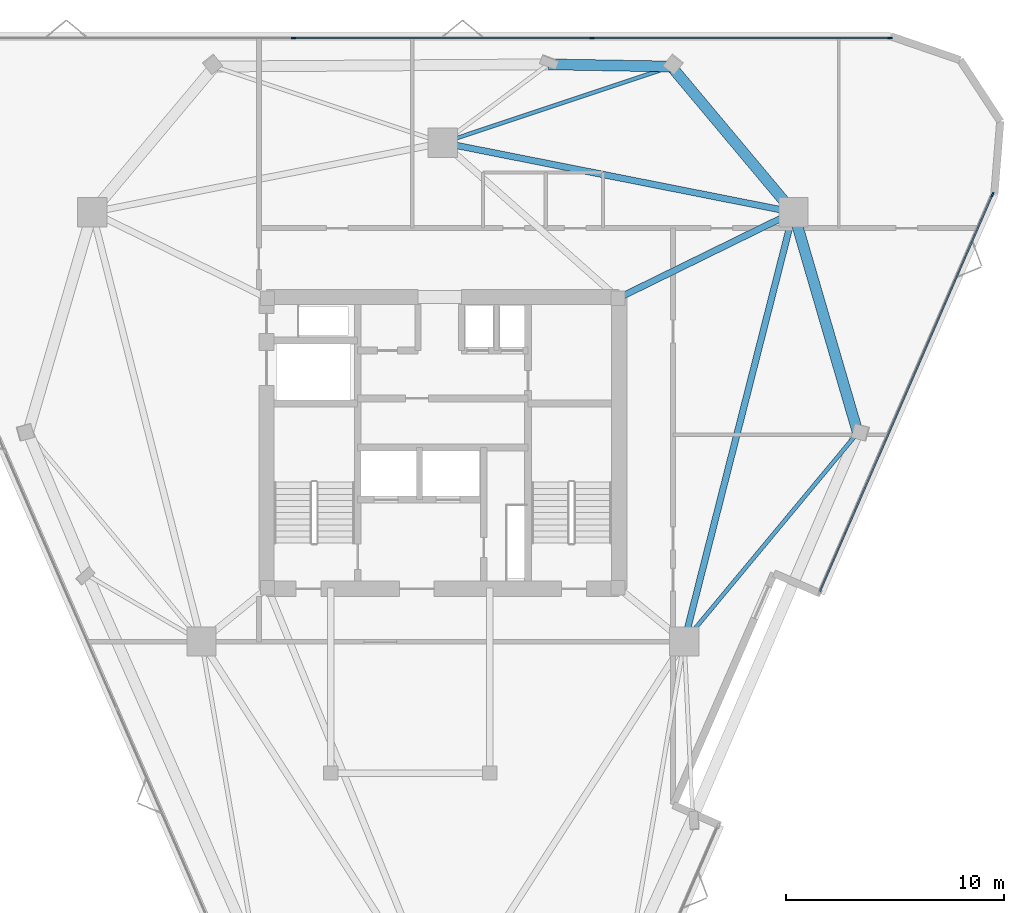
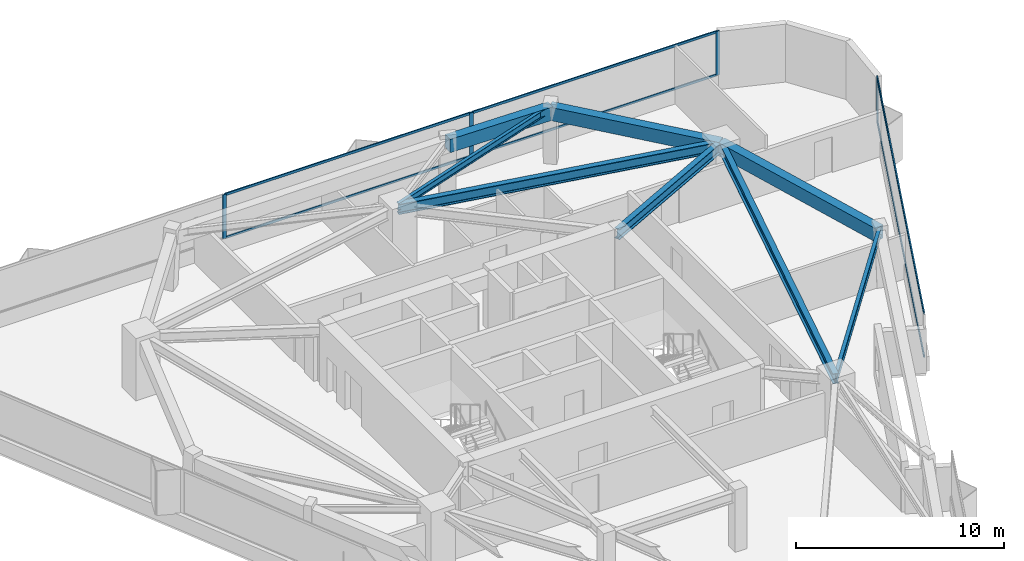
# One storey, part 5 of 9: 10 members, 8 beams, 2 elements without a shape of their own.
"""IFC4 building model written with IfcOpenShell, lengths in metres."""

from ifc_helpers import new_model, si_unit, direction, frame, origin, origin_2d, place, context, subcontext, project, spatial, rectangle, i_section, extrude, material, layer, layer_set, material_profile, profile_set, type_object, element, aggregate, save


model = new_model("IFC4")

# Units and contexts
model_context = context("Model", 3, precision=1e-05, world=origin(), true_north=direction((0.0, 1.0)))
body_context = subcontext(model_context, "Body", "Model", "MODEL_VIEW")
ifc_project = project(units=[si_unit("LENGTHUNIT", "METRE"), si_unit("AREAUNIT", "SQUARE_METRE"), si_unit("VOLUMEUNIT", "CUBIC_METRE"), si_unit("PLANEANGLEUNIT", "RADIAN"), si_unit("MASSUNIT", "GRAM", prefix="KILO")], contexts=[model_context])

# Site, building, storey
site_placement = place(None, origin())
site = spatial("IfcSite", under=ifc_project, at=site_placement, CompositionType="ELEMENT")
building_placement = place(site_placement, origin())
building = spatial("IfcBuilding", under=site, at=building_placement, Name="Talyreon Biosciences Tower", CompositionType="ELEMENT")
storey_placement = place(building_placement, frame((0.0, 0.0, 208.60009765625)))
storey = spatial("IfcBuildingStorey", under=building, at=storey_placement, Name="L55", CompositionType="ELEMENT", Elevation=208.60009765625)

# Curtain wall, members
ifc_material_1 = material(Name="Thermally broken aluminium and low-E glazing", Category="aluminium")
ifc_layer = layer(ifc_material_1, 0.205078125)
ifc_layer_set = layer_set([ifc_layer], Name="Thermally broken aluminium and low-E glazing")
curtain_wall_type = type_object("IfcCurtainWallType", Name="CurtainWall_SkyGardenLoggia", PredefinedType="NOTDEFINED", material=ifc_layer_set)
curtain_wall_1_placement = place(storey_placement, origin())
curtain_wall_1 = element("IfcCurtainWall", 1, at=curtain_wall_1_placement, inside=storey, type_object=curtain_wall_type, Name="L55 Unitised Curtain Wall FCW-L55-03", PredefinedType="NOTDEFINED")
ifc_material_2 = material(Name="Anodised thermally broken aluminium", Category="aluminium")
ifc_material_profile_1 = material_profile(ifc_material_2, rectangle(XDim=0.074951171875, YDim=0.2099609375, at=origin_2d()), Name="ALUM MULLION 75x210")
ifc_profile_set_1 = profile_set([ifc_material_profile_1], Name="Anodised thermally broken aluminium")
member_type_1 = type_object("IfcMemberType", Name="CWMullion_75x210", PredefinedType="MULLION", material=ifc_profile_set_1)
member_1_placement = place(storey_placement, frame((59.144775390625, 86.605224609375, 0.809814453125), z_axis=(0.0, 0.0, 1.0), x_axis=(0.0, 1.0, 0.0)))
member_1 = element("IfcMember", 2, at=member_1_placement, type_object=member_type_1, Name="CW7 mullion 2", PredefinedType="MULLION", context=body_context, shape_type="SweptSolid", body=[
    extrude(rectangle(XDim=0.074951171875, YDim=0.2099609375, at=origin_2d()), origin(), (0.0, 0.0, 1.0), 2.590087890625),
])
member_2_placement = place(storey_placement, frame((72.855224609375, 86.605224609375, 0.809814453125), z_axis=(0.0, 0.0, 1.0), x_axis=(0.0, 1.0, 0.0)))
member_2 = element("IfcMember", 3, at=member_2_placement, type_object=member_type_1, Name="CW7 mullion 3", PredefinedType="MULLION", context=body_context, shape_type="SweptSolid", body=[
    extrude(rectangle(XDim=0.074951171875, YDim=0.2099609375, at=origin_2d()), origin(), (0.0, 0.0, 1.0), 2.590087890625),
])
member_3_placement = place(storey_placement, frame((86.52783203125, 86.605224609375, 0.809814453125), z_axis=(0.0, 0.0, 1.0), x_axis=(0.0, 1.0, 0.0)))
member_3 = element("IfcMember", 4, at=member_3_placement, type_object=member_type_1, Name="CW7 mullion 4", PredefinedType="MULLION", context=body_context, shape_type="SweptSolid", body=[
    extrude(rectangle(XDim=0.074951171875, YDim=0.2099609375, at=origin_2d()), origin(), (0.0, 0.0, 1.0), 2.590087890625),
])

# Curtain wall, member
curtain_wall_2_placement = place(storey_placement, origin())
curtain_wall_2 = element("IfcCurtainWall", 5, at=curtain_wall_2_placement, inside=storey, type_object=curtain_wall_type, Name="L55 Unitised Curtain Wall FCW-L55-07", PredefinedType="NOTDEFINED")
member_4_placement = place(storey_placement, frame((91.24609375, 79.409912109375, 0.809814453125), z_axis=(0.0, 0.0, 1.0), x_axis=(0.91711290669, -0.398627540924, 0.0)))
member_4 = element("IfcMember", 6, at=member_4_placement, type_object=member_type_1, Name="CW7 mullion 1", PredefinedType="MULLION", context=body_context, shape_type="SweptSolid", body=[
    extrude(rectangle(XDim=0.074951171875, YDim=0.2099609375, at=origin_2d()), origin(), (0.0, 0.0, 1.0), 2.590087890625),
])

# Member
ifc_material_profile_2 = material_profile(ifc_material_2, rectangle(XDim=0.06494140625, YDim=0.139892578125, at=origin_2d()), Name="ALUM TRANSOM 65x140")
ifc_profile_set_2 = profile_set([ifc_material_profile_2], Name="Anodised thermally broken aluminium")
member_type_2 = type_object("IfcMemberType", Name="CWTransom_65x140", PredefinedType="USERDEFINED", material=ifc_profile_set_2)
member_5_placement = place(storey_placement, frame((59.182373046875, 86.605224609375, 0.84228515625), z_axis=(1.0, 0.0, 0.0), x_axis=(0.0, 1.0, 0.0)))
member_5 = element("IfcMember", 7, at=member_5_placement, type_object=member_type_2, Name="CW7 transom 2.1", ObjectType="TRANSOM", PredefinedType="USERDEFINED", context=body_context, shape_type="SweptSolid", body=[
    extrude(rectangle(XDim=0.06494140625, YDim=0.139892578125, at=origin_2d()), origin(), (0.0, 0.0, 1.0), 13.63525390625),
])

member_6_placement = place(storey_placement, frame((59.182373046875, 86.605224609375, 3.367431640625), z_axis=(1.0, 0.0, 0.0), x_axis=(0.0, 1.0, 0.0)))
member_6 = element("IfcMember", 8, at=member_6_placement, type_object=member_type_2, Name="CW7 transom 2.2", ObjectType="TRANSOM", PredefinedType="USERDEFINED", context=body_context, shape_type="SweptSolid", body=[
    extrude(rectangle(XDim=0.06494140625, YDim=0.139892578125, at=origin_2d()), origin(), (0.0, 0.0, 1.0), 13.63525390625),
])

member_7_placement = place(storey_placement, frame((72.892578125, 86.605224609375, 0.84228515625), z_axis=(1.0, 0.0, 0.0), x_axis=(0.0, 1.0, 0.0)))
member_7 = element("IfcMember", 9, at=member_7_placement, type_object=member_type_2, Name="CW7 transom 3.1", ObjectType="TRANSOM", PredefinedType="USERDEFINED", context=body_context, shape_type="SweptSolid", body=[
    extrude(rectangle(XDim=0.06494140625, YDim=0.139892578125, at=origin_2d()), origin(), (0.0, 0.0, 1.0), 13.597900390625),
])

member_8_placement = place(storey_placement, frame((72.892578125, 86.605224609375, 3.367431640625), z_axis=(1.0, 0.0, 0.0), x_axis=(0.0, 1.0, 0.0)))
member_8 = element("IfcMember", 10, at=member_8_placement, type_object=member_type_2, Name="CW7 transom 3.2", ObjectType="TRANSOM", PredefinedType="USERDEFINED", context=body_context, shape_type="SweptSolid", body=[
    extrude(rectangle(XDim=0.06494140625, YDim=0.139892578125, at=origin_2d()), origin(), (0.0, 0.0, 1.0), 13.597900390625),
])

aggregate(curtain_wall_1, [member_1, member_2, member_3, member_5, member_6, member_7, member_8])

member_9_placement = place(storey_placement, frame((91.231201171875, 79.37548828125, 0.84228515625), z_axis=(-0.398626694368, -0.917113274649, 0.0), x_axis=(0.917113274649, -0.398626694368, 0.0)))
member_9 = element("IfcMember", 11, at=member_9_placement, type_object=member_type_2, Name="CW7 transom 1.1", ObjectType="TRANSOM", PredefinedType="USERDEFINED", context=body_context, shape_type="SweptSolid", body=[
    extrude(rectangle(XDim=0.06494140625, YDim=0.139892578125, at=origin_2d()), origin(), (0.0, 0.0, 1.0), 19.845458984375),
])

member_10_placement = place(storey_placement, frame((91.231201171875, 79.37548828125, 3.367431640625), z_axis=(-0.398626694368, -0.917113274649, 0.0), x_axis=(0.917113274649, -0.398626694368, 0.0)))
member_10 = element("IfcMember", 12, at=member_10_placement, type_object=member_type_2, Name="CW7 transom 1.2", ObjectType="TRANSOM", PredefinedType="USERDEFINED", context=body_context, shape_type="SweptSolid", body=[
    extrude(rectangle(XDim=0.06494140625, YDim=0.139892578125, at=origin_2d()), origin(), (0.0, 0.0, 1.0), 19.845458984375),
])

aggregate(curtain_wall_2, [member_4, member_9, member_10])

# Beams
ifc_material_3 = material(Name="Precast concrete C45/55", Category="concrete")
ifc_material_profile_3 = material_profile(ifc_material_3, rectangle(XDim=0.5, YDim=0.780029296875, at=origin_2d()), Name="RCB 500x780")
ifc_profile_set_3 = profile_set([ifc_material_profile_3], Name="Precast concrete C45/55")
beam_type_1 = type_object("IfcBeamType", Name="ExpressedSpandrel_500x780", PredefinedType="SPANDREL", material=ifc_profile_set_3)
beam_1_placement = place(storey_placement, frame((85.057861328125, 68.47412109375, 3.010009765625), z_axis=(-0.280225765429, 0.959934122943, 0.0), x_axis=(-0.959934122943, -0.280225765429, 0.0)))
element("IfcBeam", 13, at=beam_1_placement, inside=storey, type_object=beam_type_1, Name="L55 Expressed Horizontal Concrete Spandrel 04", PredefinedType="SPANDREL", context=body_context, shape_type="SweptSolid", body=[
    extrude(rectangle(XDim=0.5, YDim=0.780029296875, at=origin_2d()), origin(), (0.0, 0.0, 1.0), 10.547119140625),
])
beam_2_placement = place(storey_placement, frame((82.102294921875, 78.5986328125, 3.010009765625), z_axis=(-0.64203951969, 0.766671543203, 0.0), x_axis=(-0.766671543203, -0.64203951969, 0.0)))
element("IfcBeam", 14, at=beam_2_placement, inside=storey, type_object=beam_type_1, Name="L55 Expressed Horizontal Concrete Spandrel 05", PredefinedType="SPANDREL", context=body_context, shape_type="SweptSolid", body=[
    extrude(rectangle(XDim=0.5, YDim=0.780029296875, at=origin_2d()), origin(), (0.0, 0.0, 1.0), 8.728759765625),
])
beam_3_placement = place(storey_placement, frame((76.498046875, 85.290771484375, 3.010009765625), z_axis=(-0.999844022145, 0.017661579211, 0.0), x_axis=(-0.017661579211, -0.999844022145, 0.0)))
element("IfcBeam", 15, at=beam_3_placement, inside=storey, type_object=beam_type_1, Name="L55 Expressed Horizontal Concrete Spandrel 06", PredefinedType="SPANDREL", context=body_context, shape_type="SweptSolid", body=[
    extrude(rectangle(XDim=0.5, YDim=0.780029296875, at=origin_2d()), origin(), (0.0, 0.0, 1.0), 5.65380859375),
])
ifc_material_4 = material(Name="Steel SM355", Category="steel")
ifc_material_profile_4 = material_profile(ifc_material_4, i_section(OverallWidth=0.300048828125, OverallDepth=0.60009765625, WebThickness=0.015380859375, FlangeThickness=0.030029296875, FilletRadius=0.027099609375, at=origin_2d()), Name="HE600B")
ifc_profile_set_4 = profile_set([ifc_material_profile_4], Name="Steel SM355")
beam_type_2 = type_object("IfcBeamType", Name="SteelBeam_HE600B", PredefinedType="BEAM", material=ifc_profile_set_4)
beam_4_placement = place(storey_placement, frame((77.086181640625, 58.88037109375, 3.099853515625), z_axis=(0.246537082299, 0.969133358755, 0.0), x_axis=(-0.969133358755, 0.246537082299, 0.0)))
element("IfcBeam", 16, at=beam_4_placement, inside=storey, type_object=beam_type_2, Name="L55 Mega-Ring Girder 2", PredefinedType="BEAM", context=body_context, shape_type="SweptSolid", body=[
    extrude(i_section(OverallWidth=0.300048828125, OverallDepth=0.60009765625, WebThickness=0.015380859375, FlangeThickness=0.030029296875, FilletRadius=0.027099609375, at=origin_2d()), origin(), (0.0, 0.0, 1.0), 20.34619140625),
])
beam_5_placement = place(storey_placement, frame((82.102294921875, 78.5986328125, 3.099853515625), z_axis=(-0.980933730698, 0.194342522311, 0.0), x_axis=(-0.194342522311, -0.980933730698, 0.0)))
element("IfcBeam", 17, at=beam_5_placement, inside=storey, type_object=beam_type_2, Name="L55 Mega-Ring Girder 3", PredefinedType="BEAM", context=body_context, shape_type="SweptSolid", body=[
    extrude(i_section(OverallWidth=0.300048828125, OverallDepth=0.60009765625, WebThickness=0.015380859375, FlangeThickness=0.030029296875, FilletRadius=0.027099609375, at=origin_2d()), origin(), (0.0, 0.0, 1.0), 16.415283203125),
])
beam_6_placement = place(storey_placement, frame((74.050048828125, 74.64990234375, 3.099853515625), z_axis=(0.897852360314, 0.440296648952, 0.0), x_axis=(-0.440296648952, 0.897852360314, 0.0)))
element("IfcBeam", 18, at=beam_6_placement, inside=storey, type_object=beam_type_2, Name="L55 Radial Primary Girder 3", PredefinedType="BEAM", context=body_context, shape_type="SweptSolid", body=[
    extrude(i_section(OverallWidth=0.300048828125, OverallDepth=0.60009765625, WebThickness=0.015380859375, FlangeThickness=0.030029296875, FilletRadius=0.027099609375, at=origin_2d()), origin(), (0.0, 0.0, 1.0), 8.96826171875),
])
ifc_material_profile_5 = material_profile(ifc_material_4, i_section(OverallWidth=0.179931640625, OverallDepth=0.39990234375, WebThickness=0.008544921875, FlangeThickness=0.013427734375, FilletRadius=0.02099609375, at=origin_2d()), Name="IPE400")
ifc_profile_set_5 = profile_set([ifc_material_profile_5], Name="Steel SM355")
beam_type_3 = type_object("IfcBeamType", Name="SteelJoist_IPE400", PredefinedType="JOIST", material=ifc_profile_set_5)
beam_7_placement = place(storey_placement, frame((66.0, 81.788818359375, 3.199951171875), z_axis=(0.948612679979, 0.316439541433, 0.0), x_axis=(-0.316439541433, 0.948612679979, 0.0)))
element("IfcBeam", 19, at=beam_7_placement, inside=storey, type_object=beam_type_3, Name="L55 Radial Composite Floor Joist PC-N1", PredefinedType="JOIST", context=body_context, shape_type="SweptSolid", body=[
    extrude(i_section(OverallWidth=0.179931640625, OverallDepth=0.39990234375, WebThickness=0.008544921875, FlangeThickness=0.013427734375, FilletRadius=0.02099609375, at=origin_2d()), origin(), (0.0, 0.0, 1.0), 11.066650390625),
])
ifc_material_profile_6 = material_profile(ifc_material_4, i_section(OverallWidth=0.18994140625, OverallDepth=0.449951171875, WebThickness=0.009521484375, FlangeThickness=0.0146484375, FilletRadius=0.02099609375, at=origin_2d()), Name="IPE450")
ifc_profile_set_6 = profile_set([ifc_material_profile_6], Name="Steel SM355")
beam_type_4 = type_object("IfcBeamType", Name="SteelJoist_IPE450", PredefinedType="JOIST", material=ifc_profile_set_6)
beam_8_placement = place(storey_placement, frame((77.086181640625, 58.88037109375, 3.1748046875), z_axis=(0.639090242642, 0.769131758387, 0.0), x_axis=(-0.769131758387, 0.639090242642, 0.0)))
element("IfcBeam", 20, at=beam_8_placement, inside=storey, type_object=beam_type_4, Name="L55 Radial Composite Floor Joist PC-SE2", PredefinedType="JOIST", context=body_context, shape_type="SweptSolid", body=[
    extrude(i_section(OverallWidth=0.18994140625, OverallDepth=0.449951171875, WebThickness=0.009521484375, FlangeThickness=0.0146484375, FilletRadius=0.02099609375, at=origin_2d()), origin(), (0.0, 0.0, 1.0), 12.473388671875),
])

save(model, "model.ifc")
